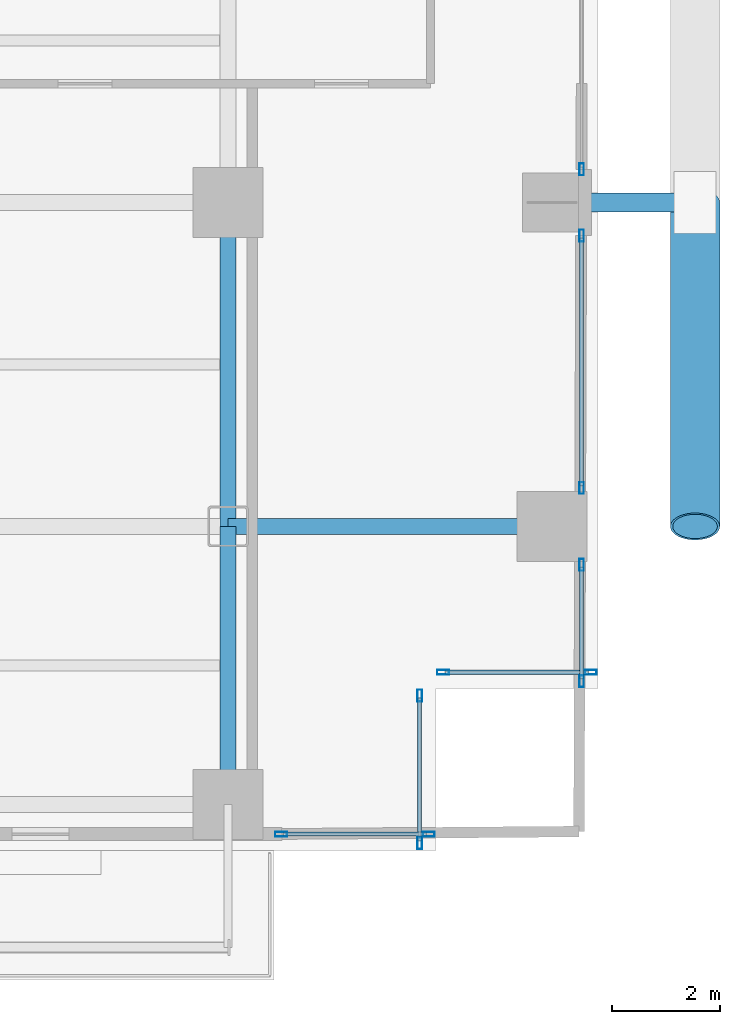
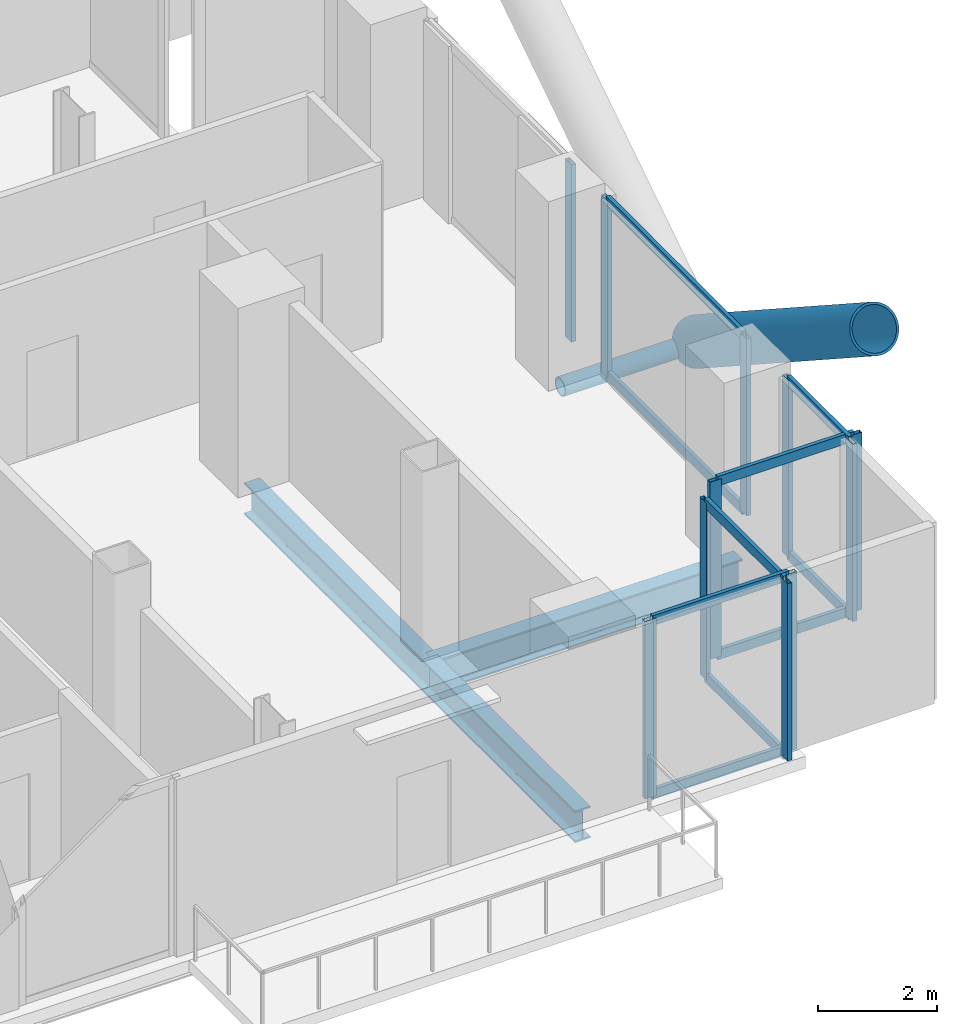
# One storey, part 10 of 27: 23 members, 3 beams, 6 elements without a shape of their own.
"""IFC4 building model written with IfcOpenShell, lengths in metres."""

import ifcopenshell
import ifcopenshell.guid

model = None  # the IFC model being written
_history = None  # IfcOwnerHistory: only IFC2X3 demands one
_inside = {}  # id of a spatial element -> (the spatial element, [elements in it])
_under = {}  # id of a project, library or spatial element -> (it, [spatial elements below it])
_declared = {}  # id of a project -> (the project, [libraries it declares])
_typed = {}  # id of a type object -> (the type object, [elements of that type])
_made_of = {}  # id of a material, layer set ... -> (it, [elements and type objects made of it])


def new_model(schema):
    """Start an empty IFC model of exactly this schema.

    Asked for "IFC4X3", IfcOpenShell would pick the latest addendum, in which some entities
    have other attributes; the version numbers below select the first issue.
    IFC2X3 requires an IfcOwnerHistory on every rooted entity: one is made here for all.
    """
    global model, _history
    if schema == "IFC4X3":
        model = ifcopenshell.file(schema_version=(4, 3, 0, 0))
    else:
        model = ifcopenshell.file(schema=schema)
    _inside.clear()
    _under.clear()
    _declared.clear()
    _typed.clear()
    _made_of.clear()
    _history = None
    if model.schema == "IFC2X3":
        org = make("IfcOrganization", Name="unknown")
        user = make(
            "IfcPersonAndOrganization",
            ThePerson=make("IfcPerson", FamilyName="unknown"),
            TheOrganization=org,
        )
        app = make(
            "IfcApplication",
            ApplicationDeveloper=org,
            Version="unknown",
            ApplicationFullName="unknown",
            ApplicationIdentifier="unknown",
        )
        _history = make(
            "IfcOwnerHistory",
            OwningUser=user,
            OwningApplication=app,
            ChangeAction="ADDED",
            CreationDate=0,
        )
    return model


def make(cls, **values):
    """One entity of the class cls with the attributes given. An attribute that is None is left unset."""
    return model.create_entity(
        cls, **{name: value for name, value in values.items() if value is not None}
    )


def rooted(cls, **values):
    """An entity with a GlobalId (a new one), such as an element, a storey or a relation."""
    return make(cls, GlobalId=ifcopenshell.guid.new(), OwnerHistory=_history, **values)


def si_unit(unit_type, name, prefix=None):
    """IfcSIUnit, for example si_unit("LENGTHUNIT", "METRE", prefix="MILLI")."""
    return make("IfcSIUnit", UnitType=unit_type, Prefix=prefix, Name=name)


def assignment(units):
    """IfcUnitAssignment: the units of a project."""
    return None if units is None else make("IfcUnitAssignment", Units=units)


def point(xyz):
    """IfcCartesianPoint."""
    return None if xyz is None else make("IfcCartesianPoint", Coordinates=xyz)


def direction(xyz):
    """IfcDirection."""
    return None if xyz is None else make("IfcDirection", DirectionRatios=xyz)


def frame(location, z_axis=None, x_axis=None):
    """IfcAxis2Placement3D, a coordinate frame: its origin and axes. An axis left out is left unset."""
    return make(
        "IfcAxis2Placement3D",
        Location=point(location),
        Axis=direction(z_axis),
        RefDirection=direction(x_axis),
    )


def frame_2d(location, x_axis=None):
    """IfcAxis2Placement2D, a coordinate frame in the plane: its origin and x axis."""
    return make(
        "IfcAxis2Placement2D", Location=point(location), RefDirection=direction(x_axis)
    )


def origin():
    """The frame at (0, 0, 0) with its axes left unset."""
    return frame((0.0, 0.0, 0.0))


def origin_2d():
    """The frame at (0, 0) in the plane with its x axis left unset."""
    return frame_2d((0.0, 0.0))


def place(relative_to, where):
    """IfcLocalPlacement: puts the frame where relative to a parent placement (None: the world)."""
    return make(
        "IfcLocalPlacement", PlacementRelTo=relative_to, RelativePlacement=where
    )


def context(
    kind, dimensions, precision=None, world=None, true_north=None, identifier=None
):
    """IfcGeometricRepresentationContext, for example the 3D "Model" context."""
    return make(
        "IfcGeometricRepresentationContext",
        ContextIdentifier=identifier,
        ContextType=kind,
        CoordinateSpaceDimension=dimensions,
        Precision=precision,
        WorldCoordinateSystem=world,
        TrueNorth=true_north,
    )


def subcontext(parent, identifier, kind, view, scale=None):
    """IfcGeometricRepresentationSubContext, for example "Body" below "Model"."""
    return make(
        "IfcGeometricRepresentationSubContext",
        ContextIdentifier=identifier,
        ContextType=kind,
        ParentContext=parent,
        TargetScale=scale,
        TargetView=view,
    )


def project(units=None, contexts=None):
    """IfcProject with its units and contexts."""
    return rooted(
        "IfcProject",
        Name="project",
        RepresentationContexts=contexts,
        UnitsInContext=assignment(units),
    )


def spatial(cls, under=None, at=None, **own):
    """A site, building, storey or space (cls), placed at a placement, below another one or the project."""
    s = rooted(cls, ObjectPlacement=at, **own)
    if under is not None:
        _under.setdefault(under.id(), (under, []))[1].append(s)
    return s


def profile(cls, at=None, kind="AREA", **sizes):
    """A parametric profile (cls). Its sizes go by their IFC names, for example OverallWidth=200.0."""
    return make(cls, ProfileType=kind, Position=at, **sizes)


def hollow_rectangle(**sizes):
    """IfcRectangleHollowProfileDef."""
    return profile("IfcRectangleHollowProfileDef", **sizes)


def hollow_circle(**sizes):
    """IfcCircleHollowProfileDef."""
    return profile("IfcCircleHollowProfileDef", **sizes)


def i_section(**sizes):
    """IfcIShapeProfileDef."""
    return profile("IfcIShapeProfileDef", **sizes)


def extrude(swept, where, along, depth):
    """IfcExtrudedAreaSolid: the profile swept, set in the frame where, extruded along a direction by depth."""
    return make(
        "IfcExtrudedAreaSolid",
        SweptArea=swept,
        Position=where,
        ExtrudedDirection=direction(along),
        Depth=depth,
    )


def shape(context_of_items, identifier, shape_type, items):
    """IfcShapeRepresentation: the items that make up one representation, for example the "Body"."""
    return make(
        "IfcShapeRepresentation",
        ContextOfItems=context_of_items,
        RepresentationIdentifier=identifier,
        RepresentationType=shape_type,
        Items=items,
    )


def material(Name=None, Category=None):
    """IfcMaterial."""
    return make("IfcMaterial", Name=Name, Category=Category)


def layer(
    of_material, thickness, ventilated=None, Name=None, Category=None, Priority=None
):
    """IfcMaterialLayer: one layer of a wall or slab, of a material (None: an air gap)."""
    return make(
        "IfcMaterialLayer",
        Material=of_material,
        LayerThickness=thickness,
        IsVentilated=ventilated,
        Name=Name,
        Category=Category,
        Priority=Priority,
    )


def layer_set(layers, Name=None):
    """IfcMaterialLayerSet."""
    return make("IfcMaterialLayerSet", MaterialLayers=layers, LayerSetName=Name)


def material_profile(
    of_material, cross_section, Name=None, Category=None, Priority=None
):
    """IfcMaterialProfile: a cross section and its material."""
    return make(
        "IfcMaterialProfile",
        Name=Name,
        Material=of_material,
        Profile=cross_section,
        Priority=Priority,
        Category=Category,
    )


def profile_set(profiles, Name=None, composite=None):
    """IfcMaterialProfileSet."""
    return make(
        "IfcMaterialProfileSet",
        Name=Name,
        MaterialProfiles=profiles,
        CompositeProfile=composite,
    )


def made_of(thing, what):
    """Note that an element or type object is made of a material, layer set ...; save() writes the relation."""
    if what is not None:
        _made_of.setdefault(what.id(), (what, []))[1].append(thing)
    return thing


def type_object(cls, material=None, **own):
    """A type object (cls), such as IfcWallType, which elements share."""
    return made_of(rooted(cls, **own), material)


def element(
    cls,
    number,
    at=None,
    inside=None,
    cuts=None,
    type_object=None,
    material=None,
    context=None,
    identifier="Body",
    shape_type=None,
    held_by="IfcProductDefinitionShape",
    body=None,
    shapes=None,
    **own,
):
    """One element of the class cls, such as IfcWall. Its Tag is "e" and its number.

    at: its placement. inside: the storey or other place that contains it. cuts: it is an
    opening in that element (IfcRelVoidsElement). A single representation is given by context,
    identifier, shape_type and body (its items); several are given by shapes. held_by: the class
    of the entity that holds the representations. save() writes the other relations.
    """
    e = rooted(cls, Tag="e%d" % number, ObjectPlacement=at, **own)
    if body is not None:
        shapes = [shape(context, identifier, shape_type, body)]
    if shapes is not None:
        e.Representation = make(held_by, Representations=shapes)
    if inside is not None:
        _inside.setdefault(inside.id(), (inside, []))[1].append(e)
    if cuts is not None:
        rooted(
            "IfcRelVoidsElement", RelatingBuildingElement=cuts, RelatedOpeningElement=e
        )
    if type_object is not None:
        _typed.setdefault(type_object.id(), (type_object, []))[1].append(e)
    return made_of(e, material)


def aggregate(whole, parts):
    """IfcRelAggregates: a whole, such as a stair, and the parts it consists of."""
    return rooted("IfcRelAggregates", RelatingObject=whole, RelatedObjects=parts)


def save(model, path):
    """Write the relations noted so far, then the file.

    IfcRelAggregates (storeys below a building ...), IfcRelContainedInSpatialStructure (elements
    in a storey), IfcRelDefinesByType, IfcRelAssociatesMaterial and IfcRelDeclares: one each for
    every whole, place, type object, material and project.
    """
    for whole, parts in _under.values():
        aggregate(whole, parts)
    for where, things in _inside.values():
        rooted(
            "IfcRelContainedInSpatialStructure",
            RelatedElements=things,
            RelatingStructure=where,
        )
    for kind, things in _typed.values():
        rooted("IfcRelDefinesByType", RelatedObjects=things, RelatingType=kind)
    for what, things in _made_of.values():
        rooted("IfcRelAssociatesMaterial", RelatedObjects=things, RelatingMaterial=what)
    for by, libraries in _declared.values():
        rooted("IfcRelDeclares", RelatingContext=by, RelatedDefinitions=libraries)
    model.write(path)


model = new_model("IFC4")

# Units and contexts
model_context = context("Model", 3, precision=1e-05, world=origin(), true_north=direction((0.0, 1.0)))
body_context = subcontext(model_context, "Body", "Model", "MODEL_VIEW")
ifc_project = project(units=[si_unit("LENGTHUNIT", "METRE"), si_unit("AREAUNIT", "SQUARE_METRE"), si_unit("VOLUMEUNIT", "CUBIC_METRE"), si_unit("PLANEANGLEUNIT", "RADIAN"), si_unit("MASSUNIT", "GRAM", prefix="KILO"), si_unit("THERMODYNAMICTEMPERATUREUNIT", "KELVIN"), si_unit("POWERUNIT", "WATT")], contexts=[model_context])

# Site, building, storey
site_placement = place(None, origin())
site = spatial("IfcSite", under=ifc_project, at=site_placement, CompositionType="ELEMENT")
building_placement = place(site_placement, origin())
building = spatial("IfcBuilding", under=site, at=building_placement, Name="Svarakhadi Broadcast Tower", CompositionType="ELEMENT")
storey_placement = place(building_placement, frame((0.0, 0.0, 75.300048828125)))
storey = spatial("IfcBuildingStorey", under=building, at=storey_placement, Name="L17", CompositionType="ELEMENT", Elevation=75.300048828125)

# Curtain wall, member
ifc_material_1 = material(Name="Anodised Bronze Aluminium AA 6063-T6", Category="aluminium")
ifc_layer = layer(ifc_material_1, 0.219970703125)
ifc_layer_set = layer_set([ifc_layer], Name="Anodised Bronze Aluminium AA 6063-T6")
curtain_wall_type = type_object("IfcCurtainWallType", Name="CW_Sys_02", PredefinedType="NOTDEFINED", material=ifc_layer_set)
curtain_wall_1_placement = place(storey_placement, origin())
curtain_wall_1 = element("IfcCurtainWall", 1, at=curtain_wall_1_placement, inside=storey, type_object=curtain_wall_type, Name="L17 Unitised Facade Curtain Wall 13 Bay 2", PredefinedType="NOTDEFINED")
ifc_material_profile_1 = material_profile(ifc_material_1, hollow_rectangle(XDim=0.0849609375, YDim=0.219970703125, WallThickness=0.006103515625, at=origin_2d()), Name="ALU MULLION 220x85x6")
ifc_profile_set_1 = profile_set([ifc_material_profile_1], Name="Anodised Bronze Aluminium AA 6063-T6")
member_type_1 = type_object("IfcMemberType", Name="CW_Sys_02_Mul", PredefinedType="MULLION", material=ifc_profile_set_1)
member_1_placement = place(storey_placement, frame((53.699951171875, 12.612548828125, 0.0), z_axis=(0.0, 0.0, 1.0), x_axis=(1.0, 0.0, 0.0)))
member_1 = element("IfcMember", 2, at=member_1_placement, type_object=member_type_1, Name="CW-02 mullion 2", PredefinedType="MULLION", context=body_context, shape_type="SweptSolid", body=[
    extrude(hollow_rectangle(XDim=0.0849609375, YDim=0.219970703125, WallThickness=0.006103515625, at=origin_2d()), origin(), (0.0, 0.0, 1.0), 3.64990234375),
])
aggregate(curtain_wall_1, [member_1])

# Curtain wall, members
curtain_wall_2_placement = place(storey_placement, origin())
curtain_wall_2 = element("IfcCurtainWall", 3, at=curtain_wall_2_placement, inside=storey, type_object=curtain_wall_type, Name="L17 Unitised Facade Curtain Wall 13 Bay 3", PredefinedType="NOTDEFINED")
member_2_placement = place(storey_placement, frame((53.699951171875, 11.387451171875, 0.0), z_axis=(0.0, 0.0, 1.0), x_axis=(1.0, 0.0, 0.0)))
member_2 = element("IfcMember", 4, at=member_2_placement, type_object=member_type_1, Name="CW-02 mullion 1", PredefinedType="MULLION", context=body_context, shape_type="SweptSolid", body=[
    extrude(hollow_rectangle(XDim=0.0849609375, YDim=0.219970703125, WallThickness=0.006103515625, at=origin_2d()), origin(), (0.0, 0.0, 1.0), 3.64990234375),
])
member_3_placement = place(storey_placement, frame((53.699951171875, 6.71240234375, 0.0), z_axis=(0.0, 0.0, 1.0), x_axis=(1.0, 0.0, 0.0)))
member_3 = element("IfcMember", 5, at=member_3_placement, type_object=member_type_1, Name="CW-02 mullion 2", PredefinedType="MULLION", context=body_context, shape_type="SweptSolid", body=[
    extrude(hollow_rectangle(XDim=0.0849609375, YDim=0.219970703125, WallThickness=0.006103515625, at=origin_2d()), origin(), (0.0, 0.0, 1.0), 3.64990234375),
])

curtain_wall_3_placement = place(storey_placement, origin())
curtain_wall_3 = element("IfcCurtainWall", 6, at=curtain_wall_3_placement, inside=storey, type_object=curtain_wall_type, Name="L17 Unitised Facade Curtain Wall 13 Bay 4", PredefinedType="NOTDEFINED")
member_4_placement = place(storey_placement, frame((53.699951171875, 5.28759765625, 0.0), z_axis=(0.0, 0.0, 1.0), x_axis=(1.0, 0.0, 0.0)))
member_4 = element("IfcMember", 7, at=member_4_placement, type_object=member_type_1, Name="CW-02 mullion 1", PredefinedType="MULLION", context=body_context, shape_type="SweptSolid", body=[
    extrude(hollow_rectangle(XDim=0.0849609375, YDim=0.219970703125, WallThickness=0.006103515625, at=origin_2d()), origin(), (0.0, 0.0, 1.0), 3.64990234375),
])
member_5_placement = place(storey_placement, frame((53.699951171875, 3.132568359375, 0.0), z_axis=(0.0, 0.0, 1.0), x_axis=(1.0, 0.0, 0.0)))
member_5 = element("IfcMember", 8, at=member_5_placement, type_object=member_type_1, Name="CW-02 mullion 2", PredefinedType="MULLION", context=body_context, shape_type="SweptSolid", body=[
    extrude(hollow_rectangle(XDim=0.0849609375, YDim=0.219970703125, WallThickness=0.006103515625, at=origin_2d()), origin(), (0.0, 0.0, 1.0), 3.64990234375),
])

curtain_wall_4_placement = place(storey_placement, origin())
curtain_wall_4 = element("IfcCurtainWall", 9, at=curtain_wall_4_placement, inside=storey, type_object=curtain_wall_type, Name="L17 Unitised Facade Curtain Wall 14", PredefinedType="NOTDEFINED")
member_6_placement = place(storey_placement, frame((53.867431640625, 3.300048828125, 0.0), z_axis=(0.0, 0.0, 1.0), x_axis=(0.0, -1.0, 0.0)))
member_6 = element("IfcMember", 10, at=member_6_placement, type_object=member_type_1, Name="CW-02 mullion 1", PredefinedType="MULLION", context=body_context, shape_type="SweptSolid", body=[
    extrude(hollow_rectangle(XDim=0.0849609375, YDim=0.219970703125, WallThickness=0.006103515625, at=origin_2d()), origin(), (0.0, 0.0, 1.0), 3.64990234375),
])
member_7_placement = place(storey_placement, frame((51.132568359375, 3.300048828125, 0.0), z_axis=(0.0, 0.0, 1.0), x_axis=(0.0, -1.0, 0.0)))
member_7 = element("IfcMember", 11, at=member_7_placement, type_object=member_type_1, Name="CW-02 mullion 2", PredefinedType="MULLION", context=body_context, shape_type="SweptSolid", body=[
    extrude(hollow_rectangle(XDim=0.0849609375, YDim=0.219970703125, WallThickness=0.006103515625, at=origin_2d()), origin(), (0.0, 0.0, 1.0), 3.64990234375),
])

curtain_wall_5_placement = place(storey_placement, origin())
curtain_wall_5 = element("IfcCurtainWall", 12, at=curtain_wall_5_placement, inside=storey, type_object=curtain_wall_type, Name="L17 Unitised Facade Curtain Wall 15", PredefinedType="NOTDEFINED")
member_8_placement = place(storey_placement, frame((50.699951171875, 2.867431640625, 0.0), z_axis=(0.0, 0.0, 1.0), x_axis=(1.0, 0.0, 0.0)))
member_8 = element("IfcMember", 13, at=member_8_placement, type_object=member_type_1, Name="CW-02 mullion 1", PredefinedType="MULLION", context=body_context, shape_type="SweptSolid", body=[
    extrude(hollow_rectangle(XDim=0.0849609375, YDim=0.219970703125, WallThickness=0.006103515625, at=origin_2d()), origin(), (0.0, 0.0, 1.0), 3.64990234375),
])
member_9_placement = place(storey_placement, frame((50.699951171875, 0.132568359375, 0.0), z_axis=(0.0, 0.0, 1.0), x_axis=(1.0, 0.0, 0.0)))
member_9 = element("IfcMember", 14, at=member_9_placement, type_object=member_type_1, Name="CW-02 mullion 2", PredefinedType="MULLION", context=body_context, shape_type="SweptSolid", body=[
    extrude(hollow_rectangle(XDim=0.0849609375, YDim=0.219970703125, WallThickness=0.006103515625, at=origin_2d()), origin(), (0.0, 0.0, 1.0), 3.64990234375),
])

curtain_wall_6_placement = place(storey_placement, origin())
curtain_wall_6 = element("IfcCurtainWall", 15, at=curtain_wall_6_placement, inside=storey, type_object=curtain_wall_type, Name="L17 South Curtain Wall 16", PredefinedType="NOTDEFINED")
member_10_placement = place(storey_placement, frame((50.867431640625, 0.300048828125, 0.0), z_axis=(0.0, 0.0, 1.0), x_axis=(0.0, -1.0, 0.0)))
member_10 = element("IfcMember", 16, at=member_10_placement, type_object=member_type_1, Name="CW-02 mullion 1", PredefinedType="MULLION", context=body_context, shape_type="SweptSolid", body=[
    extrude(hollow_rectangle(XDim=0.0849609375, YDim=0.219970703125, WallThickness=0.006103515625, at=origin_2d()), origin(), (0.0, 0.0, 1.0), 3.64990234375),
])
member_11_placement = place(storey_placement, frame((48.132568359375, 0.300048828125, 0.0), z_axis=(0.0, 0.0, 1.0), x_axis=(0.0, -1.0, 0.0)))
member_11 = element("IfcMember", 17, at=member_11_placement, type_object=member_type_1, Name="CW-02 mullion 2", PredefinedType="MULLION", context=body_context, shape_type="SweptSolid", body=[
    extrude(hollow_rectangle(XDim=0.0849609375, YDim=0.219970703125, WallThickness=0.006103515625, at=origin_2d()), origin(), (0.0, 0.0, 1.0), 3.64990234375),
])

# Member
ifc_material_profile_2 = material_profile(ifc_material_1, hollow_rectangle(XDim=0.074951171875, YDim=0.199951171875, WallThickness=0.0048828125, at=origin_2d()), Name="ALU TRANSOM 200x75x5")
ifc_profile_set_2 = profile_set([ifc_material_profile_2], Name="Anodised Bronze Aluminium AA 6063-T6")
member_type_2 = type_object("IfcMemberType", Name="CW_Sys_02_Trn", PredefinedType="USERDEFINED", material=ifc_profile_set_2)
member_12_placement = place(storey_placement, frame((53.699951171875, 11.344970703125, 0.037353515625), z_axis=(0.0, -1.0, 0.0), x_axis=(1.0, 0.0, 0.0)))
member_12 = element("IfcMember", 18, at=member_12_placement, type_object=member_type_2, Name="CW-02 transom 1.1", ObjectType="TRANSOM", PredefinedType="USERDEFINED", context=body_context, shape_type="SweptSolid", body=[
    extrude(hollow_rectangle(XDim=0.074951171875, YDim=0.199951171875, WallThickness=0.0048828125, at=origin_2d()), origin(), (0.0, 0.0, 1.0), 4.590087890625),
])

member_13_placement = place(storey_placement, frame((53.699951171875, 11.344970703125, 3.612548828125), z_axis=(0.0, -1.0, 0.0), x_axis=(1.0, 0.0, 0.0)))
member_13 = element("IfcMember", 19, at=member_13_placement, type_object=member_type_2, Name="CW-02 transom 1.2", ObjectType="TRANSOM", PredefinedType="USERDEFINED", context=body_context, shape_type="SweptSolid", body=[
    extrude(hollow_rectangle(XDim=0.074951171875, YDim=0.199951171875, WallThickness=0.0048828125, at=origin_2d()), origin(), (0.0, 0.0, 1.0), 4.590087890625),
])

aggregate(curtain_wall_2, [member_2, member_3, member_12, member_13])

member_14_placement = place(storey_placement, frame((53.699951171875, 5.2451171875, 0.037353515625), z_axis=(0.0, -1.0, 0.0), x_axis=(1.0, 0.0, 0.0)))
member_14 = element("IfcMember", 20, at=member_14_placement, type_object=member_type_2, Name="CW-02 transom 1.1", ObjectType="TRANSOM", PredefinedType="USERDEFINED", context=body_context, shape_type="SweptSolid", body=[
    extrude(hollow_rectangle(XDim=0.074951171875, YDim=0.199951171875, WallThickness=0.0048828125, at=origin_2d()), origin(), (0.0, 0.0, 1.0), 2.070068359375),
])

member_15_placement = place(storey_placement, frame((53.699951171875, 5.2451171875, 3.612548828125), z_axis=(0.0, -1.0, 0.0), x_axis=(1.0, 0.0, 0.0)))
member_15 = element("IfcMember", 21, at=member_15_placement, type_object=member_type_2, Name="CW-02 transom 1.2", ObjectType="TRANSOM", PredefinedType="USERDEFINED", context=body_context, shape_type="SweptSolid", body=[
    extrude(hollow_rectangle(XDim=0.074951171875, YDim=0.199951171875, WallThickness=0.0048828125, at=origin_2d()), origin(), (0.0, 0.0, 1.0), 2.070068359375),
])

aggregate(curtain_wall_3, [member_4, member_5, member_14, member_15])

member_16_placement = place(storey_placement, frame((53.824951171875, 3.300048828125, 0.037353515625), z_axis=(-1.0, 0.0, 0.0), x_axis=(0.0, -1.0, 0.0)))
member_16 = element("IfcMember", 22, at=member_16_placement, type_object=member_type_2, Name="CW-02 transom 1.1", ObjectType="TRANSOM", PredefinedType="USERDEFINED", context=body_context, shape_type="SweptSolid", body=[
    extrude(hollow_rectangle(XDim=0.074951171875, YDim=0.199951171875, WallThickness=0.0048828125, at=origin_2d()), origin(), (0.0, 0.0, 1.0), 2.64990234375),
])

member_17_placement = place(storey_placement, frame((53.824951171875, 3.300048828125, 3.612548828125), z_axis=(-1.0, 0.0, 0.0), x_axis=(0.0, -1.0, 0.0)))
member_17 = element("IfcMember", 23, at=member_17_placement, type_object=member_type_2, Name="CW-02 transom 1.2", ObjectType="TRANSOM", PredefinedType="USERDEFINED", context=body_context, shape_type="SweptSolid", body=[
    extrude(hollow_rectangle(XDim=0.074951171875, YDim=0.199951171875, WallThickness=0.0048828125, at=origin_2d()), origin(), (0.0, 0.0, 1.0), 2.64990234375),
])

aggregate(curtain_wall_4, [member_6, member_7, member_16, member_17])

member_18_placement = place(storey_placement, frame((50.699951171875, 2.824951171875, 0.037353515625), z_axis=(0.0, -1.0, 0.0), x_axis=(1.0, 0.0, 0.0)))
member_18 = element("IfcMember", 24, at=member_18_placement, type_object=member_type_2, Name="CW-02 transom 1.1", ObjectType="TRANSOM", PredefinedType="USERDEFINED", context=body_context, shape_type="SweptSolid", body=[
    extrude(hollow_rectangle(XDim=0.074951171875, YDim=0.199951171875, WallThickness=0.0048828125, at=origin_2d()), origin(), (0.0, 0.0, 1.0), 2.64990234375),
])

member_19_placement = place(storey_placement, frame((50.699951171875, 2.824951171875, 3.612548828125), z_axis=(0.0, -1.0, 0.0), x_axis=(1.0, 0.0, 0.0)))
member_19 = element("IfcMember", 25, at=member_19_placement, type_object=member_type_2, Name="CW-02 transom 1.2", ObjectType="TRANSOM", PredefinedType="USERDEFINED", context=body_context, shape_type="SweptSolid", body=[
    extrude(hollow_rectangle(XDim=0.074951171875, YDim=0.199951171875, WallThickness=0.0048828125, at=origin_2d()), origin(), (0.0, 0.0, 1.0), 2.64990234375),
])

aggregate(curtain_wall_5, [member_8, member_9, member_18, member_19])

member_20_placement = place(storey_placement, frame((50.824951171875, 0.300048828125, 0.037353515625), z_axis=(-1.0, 0.0, 0.0), x_axis=(0.0, -1.0, 0.0)))
member_20 = element("IfcMember", 26, at=member_20_placement, type_object=member_type_2, Name="CW-02 transom 1.1", ObjectType="TRANSOM", PredefinedType="USERDEFINED", context=body_context, shape_type="SweptSolid", body=[
    extrude(hollow_rectangle(XDim=0.074951171875, YDim=0.199951171875, WallThickness=0.0048828125, at=origin_2d()), origin(), (0.0, 0.0, 1.0), 2.64990234375),
])

member_21_placement = place(storey_placement, frame((50.824951171875, 0.300048828125, 3.612548828125), z_axis=(-1.0, 0.0, 0.0), x_axis=(0.0, -1.0, 0.0)))
member_21 = element("IfcMember", 27, at=member_21_placement, type_object=member_type_2, Name="CW-02 transom 1.2", ObjectType="TRANSOM", PredefinedType="USERDEFINED", context=body_context, shape_type="SweptSolid", body=[
    extrude(hollow_rectangle(XDim=0.074951171875, YDim=0.199951171875, WallThickness=0.0048828125, at=origin_2d()), origin(), (0.0, 0.0, 1.0), 2.64990234375),
])

aggregate(curtain_wall_6, [member_10, member_11, member_20, member_21])

# Members
ifc_material_2 = material(Name="Steel S460ML (IS 2062 E450BR)", Category="steel")
ifc_material_profile_3 = material_profile(ifc_material_2, hollow_circle(Radius=0.45703125, WallThickness=0.044921875, at=origin_2d()), Name="CHS 914x45")
ifc_profile_set_3 = profile_set([ifc_material_profile_3], Name="Steel S460ML (IS 2062 E450BR)")
member_type_3 = type_object("IfcMemberType", Name="Exo_Brace_CHS914", PredefinedType="BRACE", material=ifc_profile_set_3)
member_22_placement = place(storey_placement, frame((55.800048828125, 12.0, -0.427734375), z_axis=(0.0, -0.838449851971, 0.544978757136), x_axis=(1.0, 0.0, 0.0)))
element("IfcMember", 28, at=member_22_placement, inside=storey, type_object=member_type_3, Name="L17 Exposed Bronze Exoskeleton Diagonal E10", PredefinedType="BRACE", context=body_context, shape_type="SweptSolid", body=[
    extrude(hollow_circle(Radius=0.45703125, WallThickness=0.044921875, at=origin_2d()), origin(), (0.0, 0.0, 1.0), 7.156005859375),
])
ifc_material_profile_4 = material_profile(ifc_material_2, hollow_circle(Radius=0.177734375, WallThickness=0.02001953125, at=origin_2d()), Name="CHS 355.6x20")
ifc_profile_set_4 = profile_set([ifc_material_profile_4], Name="Steel S460ML (IS 2062 E450BR)")
member_type_4 = type_object("IfcMemberType", Name="Exo_Radial_Strut_Z1", PredefinedType="STRUT", material=ifc_profile_set_4)
member_23_placement = place(storey_placement, frame((55.800048828125, 12.0, -0.427734375), z_axis=(-1.0, 0.0, 0.0), x_axis=(0.0, -1.0, 0.0)))
element("IfcMember", 29, at=member_23_placement, inside=storey, type_object=member_type_4, Name="L17 Exoskeleton Radial Tie Strut E06", PredefinedType="STRUT", context=body_context, shape_type="SweptSolid", body=[
    extrude(hollow_circle(Radius=0.177734375, WallThickness=0.02001953125, at=origin_2d()), origin(), (0.0, 0.0, 1.0), 2.650146484375),
])

# Beams
ifc_material_3 = material(Name="Steel S355J2 (IS 2062 E350C)", Category="steel")
ifc_material_profile_5 = material_profile(ifc_material_3, i_section(OverallWidth=0.300048828125, OverallDepth=0.64990234375, WebThickness=0.01611328125, FlangeThickness=0.031005859375, FilletRadius=0.027099609375, at=origin_2d()), Name="WPB 650x300x225")
ifc_profile_set_5 = profile_set([ifc_material_profile_5], Name="Steel S355J2 (IS 2062 E350C)")
beam_type = type_object("IfcBeamType", Name="Girder_WPB650", PredefinedType="USERDEFINED", material=ifc_profile_set_5)
beam_1_placement = place(storey_placement, frame((47.14990234375, 6.0, -0.574951171875), z_axis=(1.0, 0.0, 0.0), x_axis=(0.0, 1.0, 0.0)))
element("IfcBeam", 30, at=beam_1_placement, inside=storey, type_object=beam_type, Name="L17 Primary E-W Girder G018", ObjectType="GIRDER", PredefinedType="USERDEFINED", context=body_context, shape_type="SweptSolid", body=[
    extrude(i_section(OverallWidth=0.300048828125, OverallDepth=0.64990234375, WebThickness=0.01611328125, FlangeThickness=0.031005859375, FilletRadius=0.027099609375, at=origin_2d()), origin(), (0.0, 0.0, 1.0), 6.0),
])
beam_2_placement = place(storey_placement, frame((47.14990234375, 0.85009765625, -0.574951171875), z_axis=(0.0, 1.0, 0.0), x_axis=(-1.0, 0.0, 0.0)))
element("IfcBeam", 31, at=beam_2_placement, inside=storey, type_object=beam_type, Name="L17 Primary N-S Girder G082", ObjectType="GIRDER", PredefinedType="USERDEFINED", context=body_context, shape_type="SweptSolid", body=[
    extrude(i_section(OverallWidth=0.300048828125, OverallDepth=0.64990234375, WebThickness=0.01611328125, FlangeThickness=0.031005859375, FilletRadius=0.027099609375, at=origin_2d()), origin(), (0.0, 0.0, 1.0), 5.14990234375),
])
beam_3_placement = place(storey_placement, frame((47.14990234375, 6.0, -0.574951171875), z_axis=(0.0, 1.0, 0.0), x_axis=(-1.0, 0.0, 0.0)))
element("IfcBeam", 32, at=beam_3_placement, inside=storey, type_object=beam_type, Name="L17 Primary N-S Girder G083", ObjectType="GIRDER", PredefinedType="USERDEFINED", context=body_context, shape_type="SweptSolid", body=[
    extrude(i_section(OverallWidth=0.300048828125, OverallDepth=0.64990234375, WebThickness=0.01611328125, FlangeThickness=0.031005859375, FilletRadius=0.027099609375, at=origin_2d()), origin(), (0.0, 0.0, 1.0), 6.0),
])

save(model, "model.ifc")
